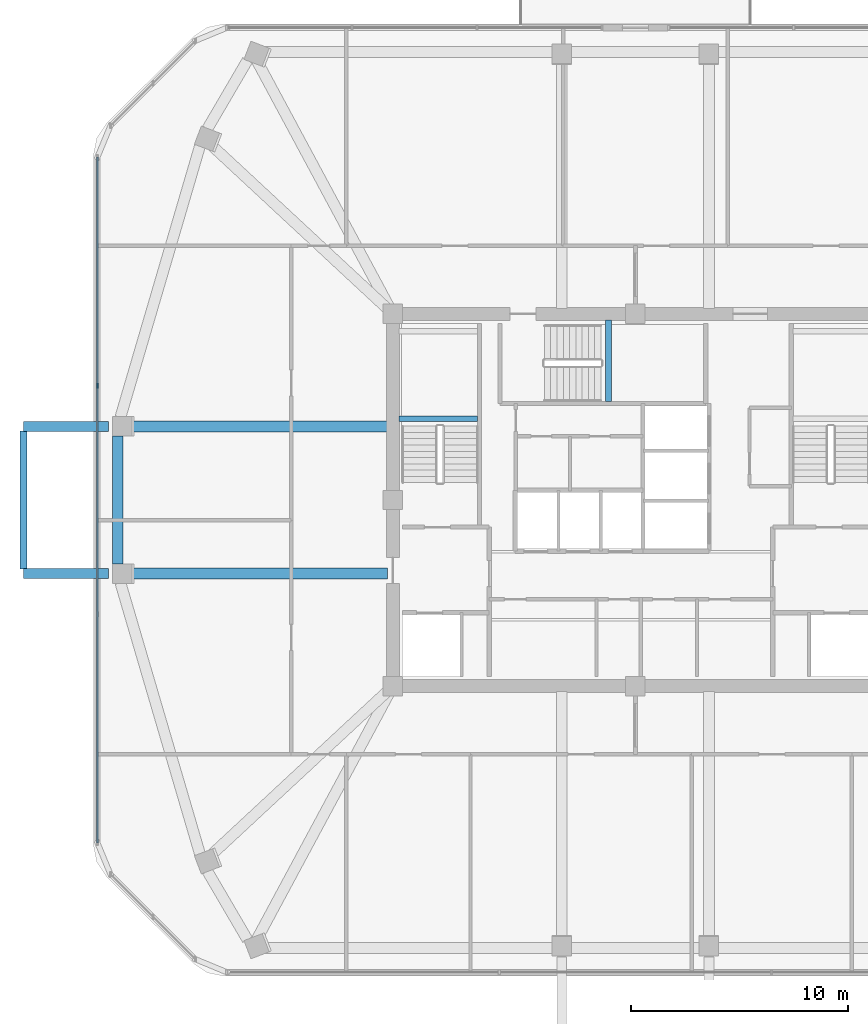
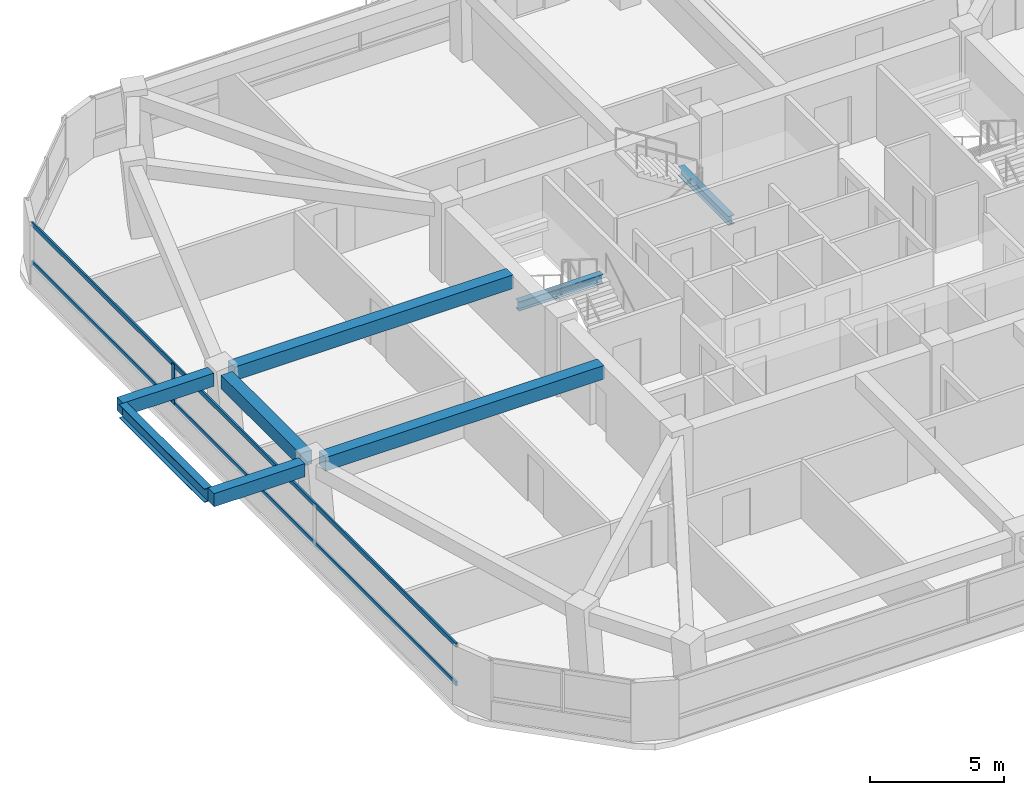
# One storey, part 4 of 13: 8 beams, 3 members, 1 element without a shape of its own.
"""IFC4 building model written with IfcOpenShell, lengths in metres."""

import ifcopenshell
import ifcopenshell.guid

model = None  # the IFC model being written
_history = None  # IfcOwnerHistory: only IFC2X3 demands one
_inside = {}  # id of a spatial element -> (the spatial element, [elements in it])
_under = {}  # id of a project, library or spatial element -> (it, [spatial elements below it])
_declared = {}  # id of a project -> (the project, [libraries it declares])
_typed = {}  # id of a type object -> (the type object, [elements of that type])
_made_of = {}  # id of a material, layer set ... -> (it, [elements and type objects made of it])


def new_model(schema):
    """Start an empty IFC model of exactly this schema.

    Asked for "IFC4X3", IfcOpenShell would pick the latest addendum, in which some entities
    have other attributes; the version numbers below select the first issue.
    IFC2X3 requires an IfcOwnerHistory on every rooted entity: one is made here for all.
    """
    global model, _history
    if schema == "IFC4X3":
        model = ifcopenshell.file(schema_version=(4, 3, 0, 0))
    else:
        model = ifcopenshell.file(schema=schema)
    _inside.clear()
    _under.clear()
    _declared.clear()
    _typed.clear()
    _made_of.clear()
    _history = None
    if model.schema == "IFC2X3":
        org = make("IfcOrganization", Name="unknown")
        user = make(
            "IfcPersonAndOrganization",
            ThePerson=make("IfcPerson", FamilyName="unknown"),
            TheOrganization=org,
        )
        app = make(
            "IfcApplication",
            ApplicationDeveloper=org,
            Version="unknown",
            ApplicationFullName="unknown",
            ApplicationIdentifier="unknown",
        )
        _history = make(
            "IfcOwnerHistory",
            OwningUser=user,
            OwningApplication=app,
            ChangeAction="ADDED",
            CreationDate=0,
        )
    return model


def make(cls, **values):
    """One entity of the class cls with the attributes given. An attribute that is None is left unset."""
    return model.create_entity(
        cls, **{name: value for name, value in values.items() if value is not None}
    )


def rooted(cls, **values):
    """An entity with a GlobalId (a new one), such as an element, a storey or a relation."""
    return make(cls, GlobalId=ifcopenshell.guid.new(), OwnerHistory=_history, **values)


def si_unit(unit_type, name, prefix=None):
    """IfcSIUnit, for example si_unit("LENGTHUNIT", "METRE", prefix="MILLI")."""
    return make("IfcSIUnit", UnitType=unit_type, Prefix=prefix, Name=name)


def derived_unit(unit_type, elements):
    """IfcDerivedUnit: a product of units, each with its exponent."""
    return make(
        "IfcDerivedUnit",
        Elements=[
            make("IfcDerivedUnitElement", Unit=unit, Exponent=power)
            for unit, power in elements
        ],
        UnitType=unit_type,
    )


def assignment(units):
    """IfcUnitAssignment: the units of a project."""
    return None if units is None else make("IfcUnitAssignment", Units=units)


def point(xyz):
    """IfcCartesianPoint."""
    return None if xyz is None else make("IfcCartesianPoint", Coordinates=xyz)


def direction(xyz):
    """IfcDirection."""
    return None if xyz is None else make("IfcDirection", DirectionRatios=xyz)


def frame(location, z_axis=None, x_axis=None):
    """IfcAxis2Placement3D, a coordinate frame: its origin and axes. An axis left out is left unset."""
    return make(
        "IfcAxis2Placement3D",
        Location=point(location),
        Axis=direction(z_axis),
        RefDirection=direction(x_axis),
    )


def frame_2d(location, x_axis=None):
    """IfcAxis2Placement2D, a coordinate frame in the plane: its origin and x axis."""
    return make(
        "IfcAxis2Placement2D", Location=point(location), RefDirection=direction(x_axis)
    )


def origin():
    """The frame at (0, 0, 0) with its axes left unset."""
    return frame((0.0, 0.0, 0.0))


def origin_2d():
    """The frame at (0, 0) in the plane with its x axis left unset."""
    return frame_2d((0.0, 0.0))


def place(relative_to, where):
    """IfcLocalPlacement: puts the frame where relative to a parent placement (None: the world)."""
    return make(
        "IfcLocalPlacement", PlacementRelTo=relative_to, RelativePlacement=where
    )


def context(
    kind, dimensions, precision=None, world=None, true_north=None, identifier=None
):
    """IfcGeometricRepresentationContext, for example the 3D "Model" context."""
    return make(
        "IfcGeometricRepresentationContext",
        ContextIdentifier=identifier,
        ContextType=kind,
        CoordinateSpaceDimension=dimensions,
        Precision=precision,
        WorldCoordinateSystem=world,
        TrueNorth=true_north,
    )


def subcontext(parent, identifier, kind, view, scale=None):
    """IfcGeometricRepresentationSubContext, for example "Body" below "Model"."""
    return make(
        "IfcGeometricRepresentationSubContext",
        ContextIdentifier=identifier,
        ContextType=kind,
        ParentContext=parent,
        TargetScale=scale,
        TargetView=view,
    )


def project(units=None, contexts=None):
    """IfcProject with its units and contexts."""
    return rooted(
        "IfcProject",
        Name="project",
        RepresentationContexts=contexts,
        UnitsInContext=assignment(units),
    )


def spatial(cls, under=None, at=None, **own):
    """A site, building, storey or space (cls), placed at a placement, below another one or the project."""
    s = rooted(cls, ObjectPlacement=at, **own)
    if under is not None:
        _under.setdefault(under.id(), (under, []))[1].append(s)
    return s


def profile(cls, at=None, kind="AREA", **sizes):
    """A parametric profile (cls). Its sizes go by their IFC names, for example OverallWidth=200.0."""
    return make(cls, ProfileType=kind, Position=at, **sizes)


def rectangle(**sizes):
    """IfcRectangleProfileDef."""
    return profile("IfcRectangleProfileDef", **sizes)


def i_section(**sizes):
    """IfcIShapeProfileDef."""
    return profile("IfcIShapeProfileDef", **sizes)


def extrude(swept, where, along, depth):
    """IfcExtrudedAreaSolid: the profile swept, set in the frame where, extruded along a direction by depth."""
    return make(
        "IfcExtrudedAreaSolid",
        SweptArea=swept,
        Position=where,
        ExtrudedDirection=direction(along),
        Depth=depth,
    )


def shape(context_of_items, identifier, shape_type, items):
    """IfcShapeRepresentation: the items that make up one representation, for example the "Body"."""
    return make(
        "IfcShapeRepresentation",
        ContextOfItems=context_of_items,
        RepresentationIdentifier=identifier,
        RepresentationType=shape_type,
        Items=items,
    )


def material(Name=None, Category=None):
    """IfcMaterial."""
    return make("IfcMaterial", Name=Name, Category=Category)


def material_profile(
    of_material, cross_section, Name=None, Category=None, Priority=None
):
    """IfcMaterialProfile: a cross section and its material."""
    return make(
        "IfcMaterialProfile",
        Name=Name,
        Material=of_material,
        Profile=cross_section,
        Priority=Priority,
        Category=Category,
    )


def profile_set(profiles, Name=None, composite=None):
    """IfcMaterialProfileSet."""
    return make(
        "IfcMaterialProfileSet",
        Name=Name,
        MaterialProfiles=profiles,
        CompositeProfile=composite,
    )


def made_of(thing, what):
    """Note that an element or type object is made of a material, layer set ...; save() writes the relation."""
    if what is not None:
        _made_of.setdefault(what.id(), (what, []))[1].append(thing)
    return thing


def type_object(cls, material=None, **own):
    """A type object (cls), such as IfcWallType, which elements share."""
    return made_of(rooted(cls, **own), material)


def element(
    cls,
    number,
    at=None,
    inside=None,
    cuts=None,
    type_object=None,
    material=None,
    context=None,
    identifier="Body",
    shape_type=None,
    held_by="IfcProductDefinitionShape",
    body=None,
    shapes=None,
    **own,
):
    """One element of the class cls, such as IfcWall. Its Tag is "e" and its number.

    at: its placement. inside: the storey or other place that contains it. cuts: it is an
    opening in that element (IfcRelVoidsElement). A single representation is given by context,
    identifier, shape_type and body (its items); several are given by shapes. held_by: the class
    of the entity that holds the representations. save() writes the other relations.
    """
    e = rooted(cls, Tag="e%d" % number, ObjectPlacement=at, **own)
    if body is not None:
        shapes = [shape(context, identifier, shape_type, body)]
    if shapes is not None:
        e.Representation = make(held_by, Representations=shapes)
    if inside is not None:
        _inside.setdefault(inside.id(), (inside, []))[1].append(e)
    if cuts is not None:
        rooted(
            "IfcRelVoidsElement", RelatingBuildingElement=cuts, RelatedOpeningElement=e
        )
    if type_object is not None:
        _typed.setdefault(type_object.id(), (type_object, []))[1].append(e)
    return made_of(e, material)


def aggregate(whole, parts):
    """IfcRelAggregates: a whole, such as a stair, and the parts it consists of."""
    return rooted("IfcRelAggregates", RelatingObject=whole, RelatedObjects=parts)


def save(model, path):
    """Write the relations noted so far, then the file.

    IfcRelAggregates (storeys below a building ...), IfcRelContainedInSpatialStructure (elements
    in a storey), IfcRelDefinesByType, IfcRelAssociatesMaterial and IfcRelDeclares: one each for
    every whole, place, type object, material and project.
    """
    for whole, parts in _under.values():
        aggregate(whole, parts)
    for where, things in _inside.values():
        rooted(
            "IfcRelContainedInSpatialStructure",
            RelatedElements=things,
            RelatingStructure=where,
        )
    for kind, things in _typed.values():
        rooted("IfcRelDefinesByType", RelatedObjects=things, RelatingType=kind)
    for what, things in _made_of.values():
        rooted("IfcRelAssociatesMaterial", RelatedObjects=things, RelatingMaterial=what)
    for by, libraries in _declared.values():
        rooted("IfcRelDeclares", RelatingContext=by, RelatedDefinitions=libraries)
    model.write(path)


model = new_model("IFC4")

# Units and contexts
model_context = context("Model", 3, precision=1e-05, world=origin(), true_north=direction((0.0, 1.0)))
body_context = subcontext(model_context, "Body", "Model", "MODEL_VIEW")
ifc_project = project(units=[si_unit("LENGTHUNIT", "METRE"), si_unit("AREAUNIT", "SQUARE_METRE"), si_unit("VOLUMEUNIT", "CUBIC_METRE"), si_unit("PLANEANGLEUNIT", "RADIAN"), si_unit("MASSUNIT", "GRAM", prefix="KILO"), derived_unit("THERMALTRANSMITTANCEUNIT", [(si_unit("POWERUNIT", "WATT"), 1), (si_unit("LENGTHUNIT", "METRE"), -2), (si_unit("THERMODYNAMICTEMPERATUREUNIT", "KELVIN"), -1)])], contexts=[model_context])

# Site, building, storey
site_placement = place(None, origin())
site = spatial("IfcSite", under=ifc_project, at=site_placement, CompositionType="ELEMENT")
building_placement = place(site_placement, origin())
building = spatial("IfcBuilding", under=site, at=building_placement, Name="Koralith Skygarden Medical Center", CompositionType="ELEMENT")
storey_placement = place(building_placement, frame((0.0, 0.0, 196.3798828125)))
storey = spatial("IfcBuildingStorey", under=building, at=storey_placement, Name="L50", CompositionType="ELEMENT", Elevation=196.3798828125)

# Curtain wall, members
ifc_material_1 = material(Name="Clear Laminated Glass", Category="glass")
curtain_wall_type = type_object("IfcCurtainWallType", Name="CW-5 Zone 4 Flare Biophilic Curtain Wall", PredefinedType="NOTDEFINED", material=ifc_material_1)
curtain_wall_placement = place(storey_placement, origin())
curtain_wall = element("IfcCurtainWall", 1, at=curtain_wall_placement, inside=storey, type_object=curtain_wall_type, Name="Curtain Wall CW-L50-W", PredefinedType="NOTDEFINED")
ifc_material_2 = material(Name="Aluminium 6063-T6", Category="aluminium")
ifc_material_profile_1 = material_profile(ifc_material_2, rectangle(XDim=0.080078125, YDim=0.219970703125, at=origin_2d()), Name="MUL80X220")
ifc_profile_set_1 = profile_set([ifc_material_profile_1], Name="Aluminium 6063-T6")
member_type_1 = type_object("IfcMemberType", Name="CW-5 Extruded Mullion 80x220", PredefinedType="MULLION", material=ifc_profile_set_1)
member_1_placement = place(storey_placement, frame((12.154052734375, 31.177978515625, 0.85009765625), z_axis=(0.0, 0.0, 1.0), x_axis=(1.0, 0.0, 0.0)))
member_1 = element("IfcMember", 2, at=member_1_placement, type_object=member_type_1, Name="CW-L50-W Mullion 2", PredefinedType="MULLION", context=body_context, shape_type="SweptSolid", body=[
    extrude(rectangle(XDim=0.080078125, YDim=0.219970703125, at=origin_2d()), origin(), (0.0, 0.0, 1.0), 1.840087890625),
])
ifc_material_profile_2 = material_profile(ifc_material_2, rectangle(XDim=0.074951171875, YDim=0.197998046875, at=origin_2d()), Name="TRN75X198")
ifc_profile_set_2 = profile_set([ifc_material_profile_2], Name="Aluminium 6063-T6")
member_type_2 = type_object("IfcMemberType", Name="CW-5 Thermal Transom 75x198", PredefinedType="USERDEFINED", material=ifc_profile_set_2)
member_2_placement = place(storey_placement, frame((12.154052734375, 41.735107421875, 0.900146484375), z_axis=(0.0, -1.0, 0.0), x_axis=(1.0, 0.0, 0.0)))
member_2 = element("IfcMember", 3, at=member_2_placement, type_object=member_type_2, Name="CW-L50-W Transom 1", ObjectType="TRANSOM", PredefinedType="USERDEFINED", context=body_context, shape_type="SweptSolid", body=[
    extrude(rectangle(XDim=0.074951171875, YDim=0.197998046875, at=origin_2d()), origin(), (0.0, 0.0, 1.0), 31.670166015625),
])
member_3_placement = place(storey_placement, frame((12.154052734375, 41.735107421875, 2.64013671875), z_axis=(0.0, -1.0, 0.0), x_axis=(1.0, 0.0, 0.0)))
member_3 = element("IfcMember", 4, at=member_3_placement, type_object=member_type_2, Name="CW-L50-W Transom 2", ObjectType="TRANSOM", PredefinedType="USERDEFINED", context=body_context, shape_type="SweptSolid", body=[
    extrude(rectangle(XDim=0.074951171875, YDim=0.197998046875, at=origin_2d()), origin(), (0.0, 0.0, 1.0), 31.670166015625),
])
aggregate(curtain_wall, [member_1, member_2, member_3])

# Beams
ifc_material_3 = material(Name="Steel ASTM A992 Grade 50", Category="steel")
ifc_material_profile_3 = material_profile(ifc_material_3, i_section(OverallWidth=0.326904296875, OverallDepth=0.6220703125, WebThickness=0.015380859375, FlangeThickness=0.0244140625, at=origin_2d()), Name="W24X131")
ifc_profile_set_3 = profile_set([ifc_material_profile_3], Name="Steel ASTM A992 Grade 50")
beam_type_1 = type_object("IfcBeamType", Name="Cantilever Tie Beam W24X131", PredefinedType="BEAM", material=ifc_profile_set_3)
beam_1_placement = place(storey_placement, frame((8.741943359375, 22.719970703125, 3.029052734375), z_axis=(0.0, 1.0, 0.0), x_axis=(-1.0, 0.0, 0.0)))
element("IfcBeam", 5, at=beam_1_placement, inside=storey, type_object=beam_type_1, Name="L51 W Balcony Tip Tie Beam", PredefinedType="BEAM", context=body_context, shape_type="SweptSolid", body=[
    extrude(i_section(OverallWidth=0.326904296875, OverallDepth=0.6220703125, WebThickness=0.015380859375, FlangeThickness=0.0244140625, at=origin_2d()), origin(), (0.0, 0.0, 1.0), 6.360107421875),
])
ifc_material_profile_4 = material_profile(ifc_material_3, i_section(OverallWidth=0.260009765625, OverallDepth=0.4150390625, WebThickness=0.010009765625, FlangeThickness=0.016845703125, at=origin_2d()), Name="W16X67")
ifc_profile_set_4 = profile_set([ifc_material_profile_4], Name="Steel ASTM A992 Grade 50")
beam_type_2 = type_object("IfcBeamType", Name="Clinical Floor Joist W16X67", PredefinedType="JOIST", material=ifc_profile_set_4)
beam_2_placement = place(storey_placement, frame((26.080078125, 29.659912109375, 1.39306640625), z_axis=(1.0, 0.0, 0.0), x_axis=(0.0, 1.0, 0.0)))
element("IfcBeam", 6, at=beam_2_placement, inside=storey, type_object=beam_type_2, Name="L50 Stair ST1 Half-Landing Support Beam 1A", PredefinedType="JOIST", context=body_context, shape_type="SweptSolid", body=[
    extrude(i_section(OverallWidth=0.260009765625, OverallDepth=0.4150390625, WebThickness=0.010009765625, FlangeThickness=0.016845703125, at=origin_2d()), origin(), (0.0, 0.0, 1.0), 3.639892578125),
])
beam_3_placement = place(storey_placement, frame((35.760009765625, 30.43994140625, 1.39306640625), z_axis=(0.0, 1.0, 0.0), x_axis=(-1.0, 0.0, 0.0)))
element("IfcBeam", 7, at=beam_3_placement, inside=storey, type_object=beam_type_2, Name="L50 Stair ST3 Half-Landing Support Beam 1A", PredefinedType="JOIST", context=body_context, shape_type="SweptSolid", body=[
    extrude(i_section(OverallWidth=0.260009765625, OverallDepth=0.4150390625, WebThickness=0.010009765625, FlangeThickness=0.016845703125, at=origin_2d()), origin(), (0.0, 0.0, 1.0), 3.780029296875),
])
ifc_material_4 = material(Name="Concrete C45/55", Category="concrete")
ifc_material_profile_5 = material_profile(ifc_material_4, rectangle(XDim=0.449951171875, YDim=0.60009765625, at=origin_2d()), Name="RCB450X600")
ifc_profile_set_5 = profile_set([ifc_material_profile_5], Name="Concrete C45/55")
beam_type_3 = type_object("IfcBeamType", Name="Planted Balcony Cantilever Beam RCB450X600", PredefinedType="BEAM", material=ifc_profile_set_5)
for number, where, z_axis, x_axis, name in (
    (8, (12.662109375, 22.5, 3.0400390625), (-1.0, 0.0, 0.0), (0.0, -1.0, 0.0), "L51 W Balcony Cantilever Beam A"),
    (9, (12.662109375, 29.300048828125, 3.0400390625), (-1.0, 0.0, 0.0), (0.0, -1.0, 0.0), "L51 W Balcony Cantilever Beam B"),
):
    element("IfcBeam", number, at=place(storey_placement, frame(where, z_axis=z_axis, x_axis=x_axis)), inside=storey, type_object=beam_type_3, Name=name, PredefinedType="BEAM", context=body_context, shape_type="SweptSolid", body=[
        extrude(rectangle(XDim=0.449951171875, YDim=0.60009765625, at=origin_2d()), origin(), (0.0, 0.0, 1.0), 3.920166015625),
    ])
ifc_material_profile_6 = material_profile(ifc_material_4, rectangle(XDim=0.5, YDim=0.6201171875, at=origin_2d()), Name="RCB500X620")
ifc_profile_set_6 = profile_set([ifc_material_profile_6], Name="Concrete C45/55")
beam_type_4 = type_object("IfcBeamType", Name="Upper Radial Collector Beam RCB500X620", PredefinedType="BEAM", material=ifc_profile_set_6)
for number, where, z_axis, x_axis, name in (
    (10, (25.550048828125, 22.5, 3.010009765625), (-1.0, 0.0, 0.0), (0.0, -1.0, 0.0), "L50 Radial Collector Beam RB-01"),
    (11, (25.550048828125, 29.300048828125, 3.010009765625), (-1.0, 0.0, 0.0), (0.0, -1.0, 0.0), "L50 Radial Collector Beam RB-16"),
):
    element("IfcBeam", number, at=place(storey_placement, frame(where, z_axis=z_axis, x_axis=x_axis)), inside=storey, type_object=beam_type_4, Name=name, PredefinedType="BEAM", context=body_context, shape_type="SweptSolid", body=[
        extrude(rectangle(XDim=0.5, YDim=0.6201171875, at=origin_2d()), origin(), (0.0, 0.0, 1.0), 12.01806640625),
    ])
ifc_material_profile_7 = material_profile(ifc_material_4, rectangle(XDim=0.5, YDim=0.6201171875, at=origin_2d()), Name="RCB500X620")
ifc_profile_set_7 = profile_set([ifc_material_profile_7], Name="Concrete C45/55")
beam_type_5 = type_object("IfcBeamType", Name="Zone 4-5 Spandrel Beam RCB500X620", PredefinedType="SPANDREL", material=ifc_profile_set_7)
beam_4_placement = place(storey_placement, frame((13.092041015625, 28.860107421875, 3.010009765625), z_axis=(0.0, -1.0, 0.0), x_axis=(1.0, 0.0, 0.0)))
element("IfcBeam", 12, at=beam_4_placement, inside=storey, type_object=beam_type_5, Name="L50 Perimeter Spandrel Beam SP-16", PredefinedType="SPANDREL", context=body_context, shape_type="SweptSolid", body=[
    extrude(rectangle(XDim=0.5, YDim=0.6201171875, at=origin_2d()), origin(), (0.0, 0.0, 1.0), 5.920166015625),
])

save(model, "model.ifc")
